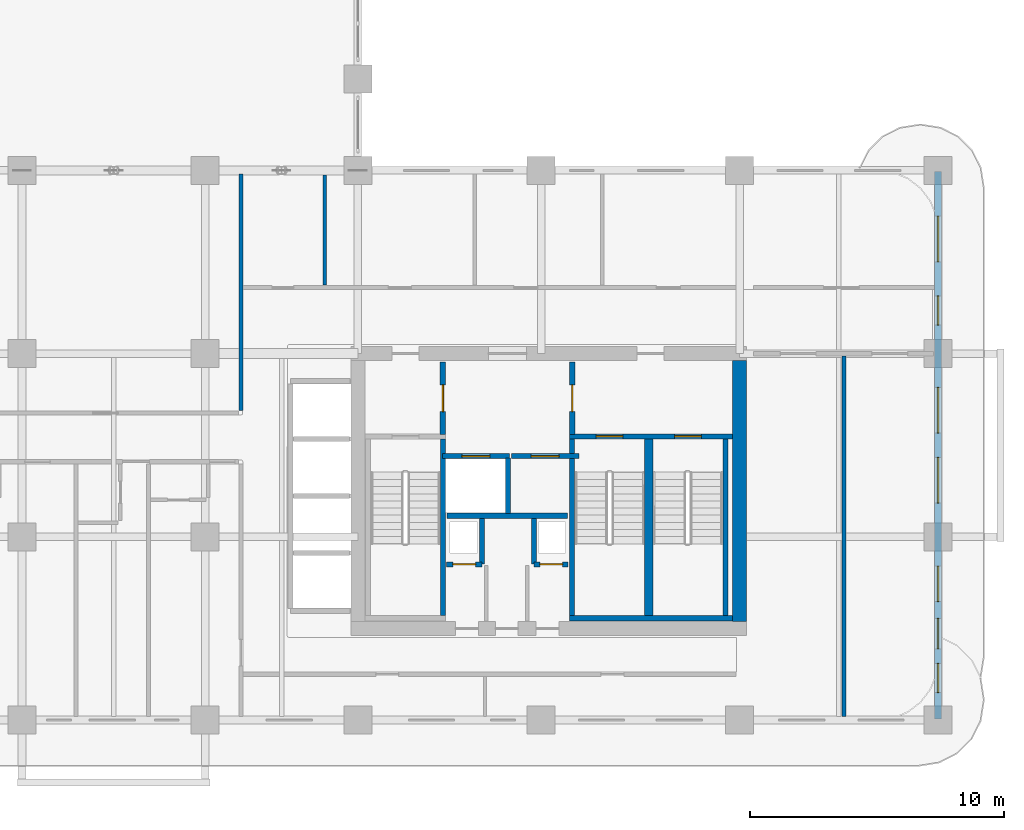
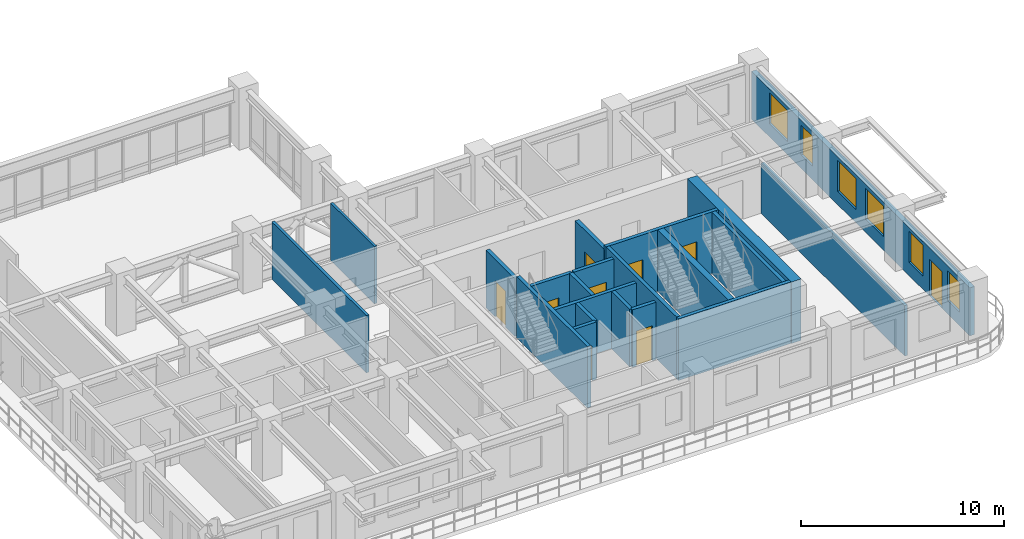
# One storey, part 13 of 21: 21 walls, 9 doors, 6 windows, 15 openings.
"""IFC4 building model written with IfcOpenShell, lengths in metres."""

from ifc_helpers import new_model, si_unit, derived_unit, direction, frame, frame_2d, origin, place, context, subcontext, project, spatial, rectangle, extrude, source, transform, mapped, material, layer, layer_set, type_object, type_shapes, element, fill, save


model = new_model("IFC4")

# Units and contexts
model_context = context("Model", 3, precision=1e-05, world=origin(), true_north=direction((0.0, 1.0)))
body_context = subcontext(model_context, "Body", "Model", "MODEL_VIEW")
ifc_project = project(units=[si_unit("LENGTHUNIT", "METRE"), si_unit("AREAUNIT", "SQUARE_METRE"), si_unit("VOLUMEUNIT", "CUBIC_METRE"), si_unit("PLANEANGLEUNIT", "RADIAN"), si_unit("MASSUNIT", "GRAM", prefix="KILO"), si_unit("THERMODYNAMICTEMPERATUREUNIT", "KELVIN"), si_unit("POWERUNIT", "WATT"), derived_unit("THERMALTRANSMITTANCEUNIT", [(si_unit("POWERUNIT", "WATT"), 1), (si_unit("AREAUNIT", "SQUARE_METRE"), -1), (si_unit("THERMODYNAMICTEMPERATUREUNIT", "KELVIN"), -1)])], contexts=[model_context])

# Site, building, storey
site_placement = place(None, origin())
site = spatial("IfcSite", under=ifc_project, at=site_placement, CompositionType="ELEMENT")
building_placement = place(site_placement, origin())
building = spatial("IfcBuilding", under=site, at=building_placement, Name="Zahravan Archway Hotel and Residences", CompositionType="ELEMENT")
storey_placement = place(building_placement, frame((0.0, 0.0, 65.699951171875)))
storey = spatial("IfcBuildingStorey", under=building, at=storey_placement, Name="L15", CompositionType="ELEMENT", Elevation=65.699951171875)

# Wall
ifc_material_1 = material(Name="Concrete C70/85", Category="concrete")
ifc_layer_1 = layer(ifc_material_1, 0.550048828125, Name="Concrete C70/85", Category="concrete")
ifc_layer_set_1 = layer_set([ifc_layer_1], Name="Concrete C70/85")
wall_type_1 = type_object("IfcWallType", Name="CW-CORE-550", PredefinedType="SHEAR", material=ifc_layer_set_1)
wall_1_placement = place(storey_placement, frame((49.800048828125, 3.875, 0.0), z_axis=(0.0, 0.0, 1.0), x_axis=(0.0, 1.0, 0.0)))
element("IfcWall", 1, at=wall_1_placement, inside=storey, type_object=wall_type_1, Name="L15 Core A Shear E Wall 550 mm", PredefinedType="SHEAR", context=body_context, shape_type="SweptSolid", body=[
    extrude(rectangle(XDim=10.25, YDim=0.550048828125, at=frame_2d((5.125, 0.0))), origin(), (0.0, 0.0, 1.0), 3.699951171875),
])

# Wall, openings, door, windows
ifc_material_2 = material(Name="Honed Red-Ochre Sandstone & Insulated Block", Category="masonry")
ifc_layer_2 = layer(ifc_material_2, 0.280029296875, Name="Honed Red-Ochre Sandstone & Insulated Block", Category="masonry")
ifc_layer_set_2 = layer_set([ifc_layer_2], Name="Honed Red-Ochre Sandstone & Insulated Block")
wall_type_2 = type_object("IfcWallType", Name="EW-LOG-280", PredefinedType="SOLIDWALL", material=ifc_layer_set_2)
wall_2_placement = place(storey_placement, frame((57.60009765625, 0.050048828125, 0.0), z_axis=(0.0, 0.0, 1.0), x_axis=(0.0, 1.0, 0.0)))
wall_2 = element("IfcWall", 2, at=wall_2_placement, inside=storey, type_object=wall_type_2, Name="L15 Exterior Sandstone Wall WA-E", PredefinedType="SOLIDWALL", context=body_context, shape_type="SweptSolid", body=[
    extrude(rectangle(XDim=21.5, YDim=0.280029296875, at=frame_2d((10.75, 0.0))), origin(), (0.0, 0.0, 1.0), 2.885009765625),
])
opening_1_placement = place(wall_2_placement, frame((2.75, 0.0, 0.0)))
opening_1 = element("IfcOpeningElement", 3, at=opening_1_placement, cuts=wall_2, Name="Opening ED-BL1", PredefinedType="OPENING", context=body_context, shape_type="SweptSolid", body=[
    extrude(rectangle(XDim=1.199951171875, YDim=2.199951171875, at=frame_2d((0.60009765625, 1.10009765625))), frame((0.0, 0.14990234375, 0.0), z_axis=(0.0, -1.0, 0.0), x_axis=(1.0, 0.0, 0.0)), (0.0, 0.0, 1.0), 0.300048828125),
])
opening_2_placement = place(wall_2_placement, frame((1.02490234375, 0.0, 0.800048828125)))
opening_2 = element("IfcOpeningElement", 4, at=opening_2_placement, cuts=wall_2, Name="Opening W-05", PredefinedType="OPENING", context=body_context, shape_type="SweptSolid", body=[
    extrude(rectangle(XDim=1.14990234375, YDim=1.800048828125, at=frame_2d((0.574951171875, 0.89990234375))), frame((0.0, 0.14990234375, 0.0), z_axis=(0.0, -1.0, 0.0), x_axis=(1.0, 0.0, 0.0)), (0.0, 0.0, 1.0), 0.300048828125),
])
opening_3_placement = place(wall_2_placement, frame((4.60009765625, 0.0, 0.800048828125)))
opening_3 = element("IfcOpeningElement", 5, at=opening_3_placement, cuts=wall_2, Name="Opening W-03", PredefinedType="OPENING", context=body_context, shape_type="SweptSolid", body=[
    extrude(rectangle(XDim=1.39990234375, YDim=1.85009765625, at=frame_2d((0.699951171875, 0.925048828125))), frame((0.0, 0.14990234375, 0.0), z_axis=(0.0, -1.0, 0.0), x_axis=(1.0, 0.0, 0.0)), (0.0, 0.0, 1.0), 0.300048828125),
])
opening_4_placement = place(wall_2_placement, frame((8.47509765625, 0.0, 0.800048828125)))
opening_4 = element("IfcOpeningElement", 6, at=opening_4_placement, cuts=wall_2, Name="Opening W-02", PredefinedType="OPENING", context=body_context, shape_type="SweptSolid", body=[
    extrude(rectangle(XDim=1.800048828125, YDim=1.85009765625, at=frame_2d((0.89990234375, 0.925048828125))), frame((0.0, 0.14990234375, 0.0), z_axis=(0.0, -1.0, 0.0), x_axis=(1.0, 0.0, 0.0)), (0.0, 0.0, 1.0), 0.300048828125),
])
opening_5_placement = place(wall_2_placement, frame((11.22509765625, 0.0, 0.800048828125)))
opening_5 = element("IfcOpeningElement", 7, at=opening_5_placement, cuts=wall_2, Name="Opening W-02", PredefinedType="OPENING", context=body_context, shape_type="SweptSolid", body=[
    extrude(rectangle(XDim=1.800048828125, YDim=1.85009765625, at=frame_2d((0.89990234375, 0.925048828125))), frame((0.0, 0.14990234375, 0.0), z_axis=(0.0, -1.0, 0.0), x_axis=(1.0, 0.0, 0.0)), (0.0, 0.0, 1.0), 0.300048828125),
])
opening_6_placement = place(wall_2_placement, frame((15.470947265625, 0.0, 0.800048828125)))
opening_6 = element("IfcOpeningElement", 8, at=opening_6_placement, cuts=wall_2, Name="Opening W-05", PredefinedType="OPENING", context=body_context, shape_type="SweptSolid", body=[
    extrude(rectangle(XDim=1.14990234375, YDim=1.800048828125, at=frame_2d((0.574951171875, 0.89990234375))), frame((0.0, 0.14990234375, 0.0), z_axis=(0.0, -1.0, 0.0), x_axis=(1.0, 0.0, 0.0)), (0.0, 0.0, 1.0), 0.300048828125),
])
opening_7_placement = place(wall_2_placement, frame((17.9541015625, 0.0, 0.800048828125)))
opening_7 = element("IfcOpeningElement", 9, at=opening_7_placement, cuts=wall_2, Name="Opening W-02", PredefinedType="OPENING", context=body_context, shape_type="SweptSolid", body=[
    extrude(rectangle(XDim=1.800048828125, YDim=1.85009765625, at=frame_2d((0.89990234375, 0.925048828125))), frame((0.0, 0.14990234375, 0.0), z_axis=(0.0, -1.0, 0.0), x_axis=(1.0, 0.0, 0.0)), (0.0, 0.0, 1.0), 0.300048828125),
])
ifc_material_3 = material(Name="Bronze-Anodized Glazed Aluminium", Category="aluminium")
door_type_1 = type_object("IfcDoorType", Name="ED-BALC-1200", OperationType="SLIDING_TO_LEFT", PredefinedType="DOOR", material=ifc_material_3)
shared_shape_1 = source(origin(), body_context, "Body", "SweptSolid", [
    extrude(rectangle(XDim=1.199951171875, YDim=2.199951171875, at=frame_2d((0.60009765625, 1.10009765625))), frame((0.0, 0.02490234375, 0.0), z_axis=(0.0, -1.0, 0.0), x_axis=(1.0, 0.0, 0.0)), (0.0, 0.0, 1.0), 0.050048828125),
])
type_shapes(door_type_1, [shared_shape_1])
door_1_placement = place(opening_1_placement, origin())
door_1 = element("IfcDoor", 10, at=door_1_placement, inside=storey, type_object=door_type_1, Name="L15 Outdoor Access Sliding Door (SLB-BAL-L15-EA)", OperationType="SLIDING_TO_LEFT", OverallHeight=2.199951171875, OverallWidth=1.199951171875, PredefinedType="DOOR", context=body_context, shape_type="MappedRepresentation", body=[
    mapped(shared_shape_1, transform((0.0, 0.0, 0.0), scale=1.0)),
])
fill(opening_1, door_1)
ifc_material_4 = material(Name="Bronze-Anodized Thermal-Break Aluminium & Low-E Glass", Category="aluminium")
window_type_1 = type_object("IfcWindowType", Name="WIN-TWR-1400", PartitioningType="SINGLE_PANEL", PredefinedType="WINDOW", material=ifc_material_4)
shared_shape_2 = source(origin(), body_context, "Body", "SweptSolid", [
    extrude(rectangle(XDim=1.39990234375, YDim=1.85009765625, at=frame_2d((0.699951171875, 0.925048828125))), frame((0.0, 0.030029296875, 0.0), z_axis=(0.0, -1.0, 0.0), x_axis=(1.0, 0.0, 0.0)), (0.0, 0.0, 1.0), 0.06005859375),
])
type_shapes(window_type_1, [shared_shape_2])
window_1_placement = place(opening_3_placement, origin())
window_1 = element("IfcWindow", 11, at=window_1_placement, inside=storey, type_object=window_type_1, Name="L15 Loggia Window 14", OverallHeight=1.85009765625, OverallWidth=1.39990234375, PartitioningType="SINGLE_PANEL", PredefinedType="WINDOW", context=body_context, shape_type="MappedRepresentation", body=[
    mapped(shared_shape_2, transform((0.0, 0.0, 0.0), scale=1.0)),
])
fill(opening_3, window_1)
window_type_2 = type_object("IfcWindowType", Name="WIN-TWR-1800", PartitioningType="DOUBLE_PANEL_VERTICAL", PredefinedType="WINDOW", material=ifc_material_4)
shared_shape_3 = source(origin(), body_context, "Body", "SweptSolid", [
    extrude(rectangle(XDim=1.800048828125, YDim=1.85009765625, at=frame_2d((0.89990234375, 0.925048828125))), frame((0.0, 0.030029296875, 0.0), z_axis=(0.0, -1.0, 0.0), x_axis=(1.0, 0.0, 0.0)), (0.0, 0.0, 1.0), 0.06005859375),
])
type_shapes(window_type_2, [shared_shape_3])
window_2_placement = place(opening_4_placement, origin())
window_2 = element("IfcWindow", 12, at=window_2_placement, inside=storey, type_object=window_type_2, Name="L15 Loggia Window 15", OverallHeight=1.85009765625, OverallWidth=1.800048828125, PartitioningType="DOUBLE_PANEL_VERTICAL", PredefinedType="WINDOW", context=body_context, shape_type="MappedRepresentation", body=[
    mapped(shared_shape_3, transform((0.0, 0.0, 0.0), scale=1.0)),
])
fill(opening_4, window_2)
window_3_placement = place(opening_5_placement, origin())
window_3 = element("IfcWindow", 13, at=window_3_placement, inside=storey, type_object=window_type_2, Name="L15 Loggia Window 16", OverallHeight=1.85009765625, OverallWidth=1.800048828125, PartitioningType="DOUBLE_PANEL_VERTICAL", PredefinedType="WINDOW", context=body_context, shape_type="MappedRepresentation", body=[
    mapped(shared_shape_3, transform((0.0, 0.0, 0.0), scale=1.0)),
])
fill(opening_5, window_3)
window_4_placement = place(opening_7_placement, origin())
window_4 = element("IfcWindow", 14, at=window_4_placement, inside=storey, type_object=window_type_2, Name="L15 Loggia Window 18", OverallHeight=1.85009765625, OverallWidth=1.800048828125, PartitioningType="DOUBLE_PANEL_VERTICAL", PredefinedType="WINDOW", context=body_context, shape_type="MappedRepresentation", body=[
    mapped(shared_shape_3, transform((0.0, 0.0, 0.0), scale=1.0)),
])
fill(opening_7, window_4)
window_type_3 = type_object("IfcWindowType", Name="WIN-TWR-1150", PartitioningType="SINGLE_PANEL", PredefinedType="WINDOW", material=ifc_material_4)
shared_shape_4 = source(origin(), body_context, "Body", "SweptSolid", [
    extrude(rectangle(XDim=1.14990234375, YDim=1.800048828125, at=frame_2d((0.574951171875, 0.89990234375))), frame((0.0, 0.030029296875, 0.0), z_axis=(0.0, -1.0, 0.0), x_axis=(1.0, 0.0, 0.0)), (0.0, 0.0, 1.0), 0.06005859375),
])
type_shapes(window_type_3, [shared_shape_4])
window_5_placement = place(opening_2_placement, origin())
window_5 = element("IfcWindow", 15, at=window_5_placement, inside=storey, type_object=window_type_3, Name="L15 Loggia Window 13", OverallHeight=1.800048828125, OverallWidth=1.14990234375, PartitioningType="SINGLE_PANEL", PredefinedType="WINDOW", context=body_context, shape_type="MappedRepresentation", body=[
    mapped(shared_shape_4, transform((0.0, 0.0, 0.0), scale=1.0)),
])
fill(opening_2, window_5)
window_6_placement = place(opening_6_placement, origin())
window_6 = element("IfcWindow", 16, at=window_6_placement, inside=storey, type_object=window_type_3, Name="L15 Loggia Window 17", OverallHeight=1.800048828125, OverallWidth=1.14990234375, PartitioningType="SINGLE_PANEL", PredefinedType="WINDOW", context=body_context, shape_type="MappedRepresentation", body=[
    mapped(shared_shape_4, transform((0.0, 0.0, 0.0), scale=1.0)),
])
fill(opening_6, window_6)

# Wall, opening, door
ifc_material_5 = material(Name="Fire-Rated Gypsum & Concrete Block", Category="concrete")
ifc_layer_3 = layer(ifc_material_5, 0.219970703125, Name="Fire-Rated Gypsum & Concrete Block", Category="concrete")
ifc_layer_set_3 = layer_set([ifc_layer_3], Name="Fire-Rated Gypsum & Concrete Block")
wall_type_3 = type_object("IfcWallType", Name="PW-COMP-220", PredefinedType="PARTITIONING", material=ifc_layer_set_3)
wall_3_placement = place(storey_placement, frame((38.139892578125, 11.219970703125, 0.0), z_axis=(0.0, 0.0, 1.0), x_axis=(0.0, 1.0, 0.0)))
wall_3 = element("IfcWall", 17, at=wall_3_placement, inside=storey, type_object=wall_type_3, Name="L15 Partition CA-LOBW", PredefinedType="PARTITIONING", context=body_context, shape_type="SweptSolid", body=[
    extrude(rectangle(XDim=2.860107421875, YDim=0.219970703125, at=frame_2d((1.43017578125, 0.0))), origin(), (0.0, 0.0, 1.0), 3.449951171875),
])
opening_8_placement = place(wall_3_placement, frame((0.905029296875, 0.0, 0.0)))
opening_8 = element("IfcOpeningElement", 18, at=opening_8_placement, cuts=wall_3, Name="Opening FD-L2", PredefinedType="OPENING", context=body_context, shape_type="SweptSolid", body=[
    extrude(rectangle(XDim=1.050048828125, YDim=2.14990234375, at=frame_2d((0.52490234375, 1.074951171875))), frame((0.0, 0.1201171875, 0.0), z_axis=(0.0, -1.0, 0.0), x_axis=(1.0, 0.0, 0.0)), (0.0, 0.0, 1.0), 0.239990234375),
])
ifc_material_6 = material(Name="Fire-Rated Painted Steel", Category="steel")
door_type_2 = type_object("IfcDoorType", Name="FD-LOBBY-1100", OperationType="NOTDEFINED", PredefinedType="DOOR", material=ifc_material_6)
shared_shape_5 = source(origin(), body_context, "Body", "SweptSolid", [
    extrude(rectangle(XDim=1.050048828125, YDim=2.14990234375, at=frame_2d((0.52490234375, 1.074951171875))), frame((0.0, 0.02490234375, 0.0), z_axis=(0.0, -1.0, 0.0), x_axis=(1.0, 0.0, 0.0)), (0.0, 0.0, 1.0), 0.050048828125),
])
type_shapes(door_type_2, [shared_shape_5])
door_2_placement = place(opening_8_placement, origin())
door_2 = element("IfcDoor", 19, at=door_2_placement, inside=storey, type_object=door_type_2, Name="L15 Core A West Stair to FSAE Lobby Door", OperationType="SINGLE_SWING_LEFT", OverallHeight=2.14990234375, OverallWidth=1.050048828125, PredefinedType="DOOR", context=body_context, shape_type="MappedRepresentation", body=[
    mapped(shared_shape_5, transform((0.0, 0.0, 0.0), scale=1.0)),
])
fill(opening_8, door_2)

wall_4_placement = place(storey_placement, frame((43.219970703125, 11.219970703125, 0.0), z_axis=(0.0, 0.0, 1.0), x_axis=(0.0, 1.0, 0.0)))
wall_4 = element("IfcWall", 20, at=wall_4_placement, inside=storey, type_object=wall_type_3, Name="L15 Partition CA-LOBE", PredefinedType="PARTITIONING", context=body_context, shape_type="SweptSolid", body=[
    extrude(rectangle(XDim=2.860107421875, YDim=0.219970703125, at=frame_2d((1.43017578125, 0.0))), origin(), (0.0, 0.0, 1.0), 3.449951171875),
])
opening_9_placement = place(wall_4_placement, frame((0.905029296875, 0.0, 0.0)))
opening_9 = element("IfcOpeningElement", 21, at=opening_9_placement, cuts=wall_4, Name="Opening FD-L2", PredefinedType="OPENING", context=body_context, shape_type="SweptSolid", body=[
    extrude(rectangle(XDim=1.050048828125, YDim=2.14990234375, at=frame_2d((0.52490234375, 1.074951171875))), frame((0.0, 0.1201171875, 0.0), z_axis=(0.0, -1.0, 0.0), x_axis=(1.0, 0.0, 0.0)), (0.0, 0.0, 1.0), 0.239990234375),
])
door_3_placement = place(opening_9_placement, origin())
door_3 = element("IfcDoor", 22, at=door_3_placement, inside=storey, type_object=door_type_2, Name="L15 Core A East Stair to FSAE Lobby Door", OperationType="SINGLE_SWING_RIGHT", OverallHeight=2.14990234375, OverallWidth=1.050048828125, PredefinedType="DOOR", context=body_context, shape_type="MappedRepresentation", body=[
    mapped(shared_shape_5, transform((0.0, 0.0, 0.0), scale=1.0)),
])
fill(opening_9, door_3)

# Walls
ifc_layer_4 = layer(ifc_material_5, 0.159912109375, Name="Fire-Rated Gypsum & Concrete Block", Category="concrete")
ifc_layer_set_4 = layer_set([ifc_layer_4], Name="Fire-Rated Gypsum & Concrete Block")
wall_type_4 = type_object("IfcWallType", Name="PW-CORR-160", PredefinedType="PARTITIONING", material=ifc_layer_set_4)
wall_5_placement = place(storey_placement, frame((30.199951171875, 12.159912109375, 0.0), z_axis=(0.0, 0.0, 1.0), x_axis=(0.0, 1.0, 0.0)))
element("IfcWall", 23, at=wall_5_placement, inside=storey, type_object=wall_type_4, Name="L15 Partition WA-FW", PredefinedType="PARTITIONING", context=body_context, shape_type="SweptSolid", body=[
    extrude(rectangle(XDim=9.300048828125, YDim=0.159912109375, at=frame_2d((4.64990234375, 0.0))), origin(), (0.0, 0.0, 1.0), 3.449951171875),
])
ifc_layer_5 = layer(ifc_material_5, 0.199951171875, Name="Fire-Rated Gypsum & Concrete Block", Category="concrete")
ifc_layer_set_5 = layer_set([ifc_layer_5], Name="Fire-Rated Gypsum & Concrete Block")
wall_type_5 = type_object("IfcWallType", Name="PW-SHAFT-200", PredefinedType="PARTITIONING", material=ifc_layer_set_5)
wall_6_placement = place(storey_placement, frame((38.300048828125, 8.030029296875, 0.0), z_axis=(0.0, 0.0, 1.0), x_axis=(1.0, 0.0, 0.0)))
element("IfcWall", 24, at=wall_6_placement, inside=storey, type_object=wall_type_5, Name="L15 Partition CA-FLS", PredefinedType="PARTITIONING", context=body_context, shape_type="SweptSolid", body=[
    extrude(rectangle(XDim=4.739990234375, YDim=0.199951171875, at=frame_2d((2.3701171875, 0.0))), origin(), (0.0, 0.0, 1.0), 3.449951171875),
])
wall_7_placement = place(storey_placement, frame((40.699951171875, 8.1201171875, 0.0), z_axis=(0.0, 0.0, 1.0), x_axis=(0.0, 1.0, 0.0)))
element("IfcWall", 25, at=wall_7_placement, inside=storey, type_object=wall_type_5, Name="L15 Partition CA-FLM", PredefinedType="PARTITIONING", context=body_context, shape_type="SweptSolid", body=[
    extrude(rectangle(XDim=2.179931640625, YDim=0.199951171875, at=frame_2d((1.08984375, 0.0))), origin(), (0.0, 0.0, 1.0), 3.449951171875),
])

# Wall, opening, door
wall_8_placement = place(storey_placement, frame((38.2900390625, 6.1201171875, 0.0), z_axis=(0.0, 0.0, 1.0), x_axis=(1.0, 0.0, 0.0)))
wall_8 = element("IfcWall", 26, at=wall_8_placement, inside=storey, type_object=wall_type_5, Name="L15 Partition CA-SMKS", PredefinedType="PARTITIONING", context=body_context, shape_type="SweptSolid", body=[
    extrude(rectangle(XDim=1.3798828125, YDim=0.199951171875, at=frame_2d((0.68994140625, 0.0))), origin(), (0.0, 0.0, 1.0), 3.449951171875),
])
opening_10_placement = place(wall_8_placement, frame((0.239990234375, 0.0, 0.0)))
opening_10 = element("IfcOpeningElement", 27, at=opening_10_placement, cuts=wall_8, Name="Opening FD-R1", PredefinedType="OPENING", context=body_context, shape_type="SweptSolid", body=[
    extrude(rectangle(XDim=0.89990234375, YDim=2.10009765625, at=frame_2d((0.449951171875, 1.050048828125))), frame((0.0, 0.10986328125, 0.0), z_axis=(0.0, -1.0, 0.0), x_axis=(1.0, 0.0, 0.0)), (0.0, 0.0, 1.0), 0.219970703125),
])
door_type_3 = type_object("IfcDoorType", Name="FD-RISER-900", OperationType="NOTDEFINED", PredefinedType="DOOR", material=ifc_material_6)
shared_shape_6 = source(origin(), body_context, "Body", "SweptSolid", [
    extrude(rectangle(XDim=0.89990234375, YDim=2.10009765625, at=frame_2d((0.449951171875, 1.050048828125))), frame((0.0, 0.02490234375, 0.0), z_axis=(0.0, -1.0, 0.0), x_axis=(1.0, 0.0, 0.0)), (0.0, 0.0, 1.0), 0.050048828125),
])
type_shapes(door_type_3, [shared_shape_6])
door_4_placement = place(opening_10_placement, origin())
door_4 = element("IfcDoor", 28, at=door_4_placement, inside=storey, type_object=door_type_3, Name="L15 Smoke Riser Access Door", OperationType="SINGLE_SWING_LEFT", OverallHeight=2.10009765625, OverallWidth=0.89990234375, PredefinedType="DOOR", context=body_context, shape_type="MappedRepresentation", body=[
    mapped(shared_shape_6, transform((0.0, 0.0, 0.0), scale=1.0)),
])
fill(opening_10, door_4)

# Wall
wall_9_placement = place(storey_placement, frame((39.679931640625, 6.1298828125, 0.0), z_axis=(0.0, 0.0, 1.0), x_axis=(0.0, 1.0, 0.0)))
element("IfcWall", 29, at=wall_9_placement, inside=storey, type_object=wall_type_5, Name="L15 Partition CA-SMKE", PredefinedType="PARTITIONING", context=body_context, shape_type="SweptSolid", body=[
    extrude(rectangle(XDim=1.7900390625, YDim=0.199951171875, at=frame_2d((0.89501953125, 0.0))), origin(), (0.0, 0.0, 1.0), 3.449951171875),
])

# Wall, opening, door
wall_10_placement = place(storey_placement, frame((41.72998046875, 6.1201171875, 0.0), z_axis=(0.0, 0.0, 1.0), x_axis=(1.0, 0.0, 0.0)))
wall_10 = element("IfcWall", 30, at=wall_10_placement, inside=storey, type_object=wall_type_5, Name="L15 Partition CA-MEPS", PredefinedType="PARTITIONING", context=body_context, shape_type="SweptSolid", body=[
    extrude(rectangle(XDim=1.320068359375, YDim=0.199951171875, at=frame_2d((0.66015625, 0.0))), origin(), (0.0, 0.0, 1.0), 3.449951171875),
])
opening_11_placement = place(wall_10_placement, frame((0.219970703125, 0.0, 0.0)))
opening_11 = element("IfcOpeningElement", 31, at=opening_11_placement, cuts=wall_10, Name="Opening FD-R1", PredefinedType="OPENING", context=body_context, shape_type="SweptSolid", body=[
    extrude(rectangle(XDim=0.89990234375, YDim=2.10009765625, at=frame_2d((0.449951171875, 1.050048828125))), frame((0.0, 0.10986328125, 0.0), z_axis=(0.0, -1.0, 0.0), x_axis=(1.0, 0.0, 0.0)), (0.0, 0.0, 1.0), 0.219970703125),
])
door_5_placement = place(opening_11_placement, origin())
door_5 = element("IfcDoor", 32, at=door_5_placement, inside=storey, type_object=door_type_3, Name="L15 MEP Riser Access Door", OperationType="SINGLE_SWING_RIGHT", OverallHeight=2.10009765625, OverallWidth=0.89990234375, PredefinedType="DOOR", context=body_context, shape_type="MappedRepresentation", body=[
    mapped(shared_shape_6, transform((0.0, 0.0, 0.0), scale=1.0)),
])
fill(opening_11, door_5)

# Wall
wall_11_placement = place(storey_placement, frame((41.719970703125, 6.1298828125, 0.0), z_axis=(0.0, 0.0, 1.0), x_axis=(0.0, 1.0, 0.0)))
element("IfcWall", 33, at=wall_11_placement, inside=storey, type_object=wall_type_5, Name="L15 Partition CA-MEPW", PredefinedType="PARTITIONING", context=body_context, shape_type="SweptSolid", body=[
    extrude(rectangle(XDim=1.7900390625, YDim=0.199951171875, at=frame_2d((0.89501953125, 0.0))), origin(), (0.0, 0.0, 1.0), 3.449951171875),
])

# Wall, opening, door
wall_12_placement = place(storey_placement, frame((38.1201171875, 10.3701171875, 0.0), z_axis=(0.0, 0.0, 1.0), x_axis=(1.0, 0.0, 0.0)))
wall_12 = element("IfcWall", 34, at=wall_12_placement, inside=storey, type_object=wall_type_5, Name="L15 Lift FL-1 Front Wall", PredefinedType="PARTITIONING", context=body_context, shape_type="SweptSolid", body=[
    extrude(rectangle(XDim=2.639892578125, YDim=0.199951171875, at=frame_2d((1.31982421875, 0.0))), origin(), (0.0, 0.0, 1.0), 3.449951171875),
])
opening_12_placement = place(wall_12_placement, frame((0.77001953125, 0.0, 0.0)))
opening_12 = element("IfcOpeningElement", 35, at=opening_12_placement, cuts=wall_12, Name="Opening LD", PredefinedType="OPENING", context=body_context, shape_type="SweptSolid", body=[
    extrude(rectangle(XDim=1.10009765625, YDim=2.199951171875, at=frame_2d((0.550048828125, 1.10009765625))), frame((0.0, 0.10986328125, 0.0), z_axis=(0.0, -1.0, 0.0), x_axis=(1.0, 0.0, 0.0)), (0.0, 0.0, 1.0), 0.219970703125),
])
ifc_material_7 = material(Name="Brushed Stainless Steel", Category="steel")
door_type_4 = type_object("IfcDoorType", Name="DR-LIFT-LD", OperationType="SLIDING_TO_LEFT", PredefinedType="DOOR", material=ifc_material_7)
shared_shape_7 = source(origin(), body_context, "Body", "SweptSolid", [
    extrude(rectangle(XDim=1.10009765625, YDim=2.199951171875, at=frame_2d((0.550048828125, 1.10009765625))), frame((0.0, 0.02490234375, 0.0), z_axis=(0.0, -1.0, 0.0), x_axis=(1.0, 0.0, 0.0)), (0.0, 0.0, 1.0), 0.050048828125),
])
type_shapes(door_type_4, [shared_shape_7])
door_6_placement = place(opening_12_placement, origin())
door_6 = element("IfcDoor", 36, at=door_6_placement, inside=storey, type_object=door_type_4, Name="L15 Lift FL-1 Sliding Landing Door", OperationType="SLIDING_TO_LEFT", OverallHeight=2.199951171875, OverallWidth=1.10009765625, PredefinedType="DOOR", context=body_context, shape_type="MappedRepresentation", body=[
    mapped(shared_shape_7, transform((0.0, 0.0, 0.0), scale=1.0)),
])
fill(opening_12, door_6)

wall_13_placement = place(storey_placement, frame((40.840087890625, 10.3701171875, 0.0), z_axis=(0.0, 0.0, 1.0), x_axis=(1.0, 0.0, 0.0)))
wall_13 = element("IfcWall", 37, at=wall_13_placement, inside=storey, type_object=wall_type_5, Name="L15 Lift FL-2 Front Wall", PredefinedType="PARTITIONING", context=body_context, shape_type="SweptSolid", body=[
    extrude(rectangle(XDim=2.639892578125, YDim=0.199951171875, at=frame_2d((1.31982421875, 0.0))), origin(), (0.0, 0.0, 1.0), 3.449951171875),
])
opening_13_placement = place(wall_13_placement, frame((0.77001953125, 0.0, 0.0)))
opening_13 = element("IfcOpeningElement", 38, at=opening_13_placement, cuts=wall_13, Name="Opening LD", PredefinedType="OPENING", context=body_context, shape_type="SweptSolid", body=[
    extrude(rectangle(XDim=1.10009765625, YDim=2.199951171875, at=frame_2d((0.550048828125, 1.10009765625))), frame((0.0, 0.10986328125, 0.0), z_axis=(0.0, -1.0, 0.0), x_axis=(1.0, 0.0, 0.0)), (0.0, 0.0, 1.0), 0.219970703125),
])
door_7_placement = place(opening_13_placement, origin())
door_7 = element("IfcDoor", 39, at=door_7_placement, inside=storey, type_object=door_type_4, Name="L15 Lift FL-2 Sliding Landing Door", OperationType="SLIDING_TO_LEFT", OverallHeight=2.199951171875, OverallWidth=1.10009765625, PredefinedType="DOOR", context=body_context, shape_type="MappedRepresentation", body=[
    mapped(shared_shape_7, transform((0.0, 0.0, 0.0), scale=1.0)),
])
fill(opening_13, door_7)

# Walls
ifc_material_8 = material(Name="Acoustic Stud Partition")
ifc_layer_6 = layer(ifc_material_8, 0.169921875, Name="Acoustic Stud Partition")
ifc_layer_set_6 = layer_set([ifc_layer_6], Name="Acoustic Stud Partition")
wall_type_6 = type_object("IfcWallType", Name="PW-UNIT-170", PredefinedType="PARTITIONING", material=ifc_layer_set_6)
wall_14_placement = place(storey_placement, frame((53.89990234375, 0.14794921875, 0.0), z_axis=(0.0, 0.0, 1.0), x_axis=(0.0, 1.0, 0.0)))
element("IfcWall", 40, at=wall_14_placement, inside=storey, type_object=wall_type_6, Name="L15 Partition EA-EV", PredefinedType="PARTITIONING", context=body_context, shape_type="SweptSolid", body=[
    extrude(rectangle(XDim=14.162109375, YDim=0.169921875, at=frame_2d((7.0810546875, 0.0))), origin(), (0.0, 0.0, 1.0), 3.03515625),
])
ifc_material_9 = material(Name="Moisture-Resistant Blockwork", Category="masonry")
ifc_layer_7 = layer(ifc_material_9, 0.139892578125, Name="Moisture-Resistant Blockwork", Category="masonry")
ifc_layer_set_7 = layer_set([ifc_layer_7], Name="Moisture-Resistant Blockwork")
wall_type_7 = type_object("IfcWallType", Name="PW-WET-140", PredefinedType="PARTITIONING", material=ifc_layer_set_7)
wall_15_placement = place(storey_placement, frame((33.5, 17.090087890625, 0.0), z_axis=(0.0, 0.0, 1.0), x_axis=(0.0, 1.0, 0.0)))
element("IfcWall", 41, at=wall_15_placement, inside=storey, type_object=wall_type_7, Name="L15 Partition NE2-1", PredefinedType="PARTITIONING", context=body_context, shape_type="SweptSolid", body=[
    extrude(rectangle(XDim=4.31982421875, YDim=0.139892578125, at=frame_2d((2.159912109375, 0.0))), origin(), (0.0, 0.0, 1.0), 3.449951171875),
])
ifc_material_10 = material(Name="Concrete C50/60", Category="concrete")
ifc_layer_8 = layer(ifc_material_10, 0.199951171875, Name="Concrete C50/60", Category="concrete")
ifc_layer_set_8 = layer_set([ifc_layer_8], Name="Concrete C50/60")
wall_type_8 = type_object("IfcWallType", Name="SW-STAIR-200", PredefinedType="SHEAR", material=ifc_layer_set_8)
wall_16_placement = place(storey_placement, frame((38.139892578125, 4.10009765625, 0.0), z_axis=(0.0, 0.0, 1.0), x_axis=(0.0, 1.0, 0.0)))
element("IfcWall", 42, at=wall_16_placement, inside=storey, type_object=wall_type_8, Name="L15 Stairwell RC Wall CA-SA1E", PredefinedType="SHEAR", context=body_context, shape_type="SweptSolid", body=[
    extrude(rectangle(XDim=6.949951171875, YDim=0.199951171875, at=frame_2d((3.47509765625, 0.0))), origin(), (0.0, 0.0, 1.0), 3.699951171875),
])
wall_17_placement = place(storey_placement, frame((43.1201171875, 4.0, 0.0), z_axis=(0.0, 0.0, 1.0), x_axis=(1.0, 0.0, 0.0)))
element("IfcWall", 43, at=wall_17_placement, inside=storey, type_object=wall_type_8, Name="L15 Stairwell RC Wall CA-SA23S", PredefinedType="SHEAR", context=body_context, shape_type="SweptSolid", body=[
    extrude(rectangle(XDim=6.40478515625, YDim=0.199951171875, at=frame_2d((3.202392578125, 0.0))), origin(), (0.0, 0.0, 1.0), 3.699951171875),
])
for number, where, z_axis, x_axis, name in (
    (44, (43.219970703125, 4.10009765625, 0.0), (0.0, 0.0, 1.0), (0.0, 1.0, 0.0), "L15 Stairwell RC Wall CA-SA2W"),
    (45, (49.239990234375, 4.10009765625, 0.0), (0.0, 0.0, 1.0), (0.0, 1.0, 0.0), "L15 Stairwell RC Wall CA-SA3E"),
):
    element("IfcWall", number, at=place(storey_placement, frame(where, z_axis=z_axis, x_axis=x_axis)), inside=storey, type_object=wall_type_8, Name=name, PredefinedType="SHEAR", context=body_context, shape_type="SweptSolid", body=[
        extrude(rectangle(XDim=6.949951171875, YDim=0.199951171875, at=frame_2d((3.47509765625, 0.0))), origin(), (0.0, 0.0, 1.0), 3.699951171875),
    ])

# Wall, openings, doors
wall_18_placement = place(storey_placement, frame((43.1201171875, 11.14990234375, 0.0), z_axis=(0.0, 0.0, 1.0), x_axis=(1.0, 0.0, 0.0)))
wall_18 = element("IfcWall", 46, at=wall_18_placement, inside=storey, type_object=wall_type_8, Name="L15 Stairwell RC Wall CA-SA23N", PredefinedType="SHEAR", context=body_context, shape_type="SweptSolid", body=[
    extrude(rectangle(XDim=6.40478515625, YDim=0.199951171875, at=frame_2d((3.202392578125, 0.0))), origin(), (0.0, 0.0, 1.0), 3.699951171875),
])
opening_14_placement = place(wall_18_placement, frame((1.044921875, 0.0, 0.0)))
opening_14 = element("IfcOpeningElement", 47, at=opening_14_placement, cuts=wall_18, Name="Opening FD-S1", PredefinedType="OPENING", context=body_context, shape_type="SweptSolid", body=[
    extrude(rectangle(XDim=1.050048828125, YDim=2.199951171875, at=frame_2d((0.52490234375, 1.10009765625))), frame((0.0, 0.10986328125, 0.0), z_axis=(0.0, -1.0, 0.0), x_axis=(1.0, 0.0, 0.0)), (0.0, 0.0, 1.0), 0.219970703125),
])
opening_15_placement = place(wall_18_placement, frame((4.125, 0.0, 0.0)))
opening_15 = element("IfcOpeningElement", 48, at=opening_15_placement, cuts=wall_18, Name="Opening FD-S1", PredefinedType="OPENING", context=body_context, shape_type="SweptSolid", body=[
    extrude(rectangle(XDim=1.050048828125, YDim=2.199951171875, at=frame_2d((0.52490234375, 1.10009765625))), frame((0.0, 0.10986328125, 0.0), z_axis=(0.0, -1.0, 0.0), x_axis=(1.0, 0.0, 0.0)), (0.0, 0.0, 1.0), 0.219970703125),
])
door_type_5 = type_object("IfcDoorType", Name="FD-STAIR-1100", OperationType="NOTDEFINED", PredefinedType="DOOR", material=ifc_material_6)
shared_shape_8 = source(origin(), body_context, "Body", "SweptSolid", [
    extrude(rectangle(XDim=1.050048828125, YDim=2.199951171875, at=frame_2d((0.52490234375, 1.10009765625))), frame((0.0, 0.02490234375, 0.0), z_axis=(0.0, -1.0, 0.0), x_axis=(1.0, 0.0, 0.0)), (0.0, 0.0, 1.0), 0.050048828125),
])
type_shapes(door_type_5, [shared_shape_8])
door_8_placement = place(opening_14_placement, origin())
door_8 = element("IfcDoor", 49, at=door_8_placement, inside=storey, type_object=door_type_5, Name="L15 Stair ST-A2 Door", OperationType="SINGLE_SWING_LEFT", OverallHeight=2.199951171875, OverallWidth=1.050048828125, PredefinedType="DOOR", context=body_context, shape_type="MappedRepresentation", body=[
    mapped(shared_shape_8, transform((0.0, 0.0, 0.0), scale=1.0)),
])
fill(opening_14, door_8)
door_9_placement = place(opening_15_placement, origin())
door_9 = element("IfcDoor", 50, at=door_9_placement, inside=storey, type_object=door_type_5, Name="L15 Stair ST-A3 Door", OperationType="SINGLE_SWING_RIGHT", OverallHeight=2.199951171875, OverallWidth=1.050048828125, PredefinedType="DOOR", context=body_context, shape_type="MappedRepresentation", body=[
    mapped(shared_shape_8, transform((0.0, 0.0, 0.0), scale=1.0)),
])
fill(opening_15, door_9)

# Wall
ifc_layer_9 = layer(ifc_material_10, 0.340087890625, Name="Concrete C50/60", Category="concrete")
ifc_layer_set_9 = layer_set([ifc_layer_9], Name="Concrete C50/60")
wall_type_9 = type_object("IfcWallType", Name="SW-STAIR-340", PredefinedType="SHEAR", material=ifc_layer_set_9)
wall_19_placement = place(storey_placement, frame((46.22998046875, 4.10009765625, 0.0), z_axis=(0.0, 0.0, 1.0), x_axis=(0.0, 1.0, 0.0)))
element("IfcWall", 51, at=wall_19_placement, inside=storey, type_object=wall_type_9, Name="L15 Stairwell RC Wall CA-SA23M", PredefinedType="SHEAR", context=body_context, shape_type="SweptSolid", body=[
    extrude(rectangle(XDim=6.949951171875, YDim=0.340087890625, at=frame_2d((3.47509765625, 0.0))), origin(), (0.0, 0.0, 1.0), 3.699951171875),
])

save(model, "model.ifc")
